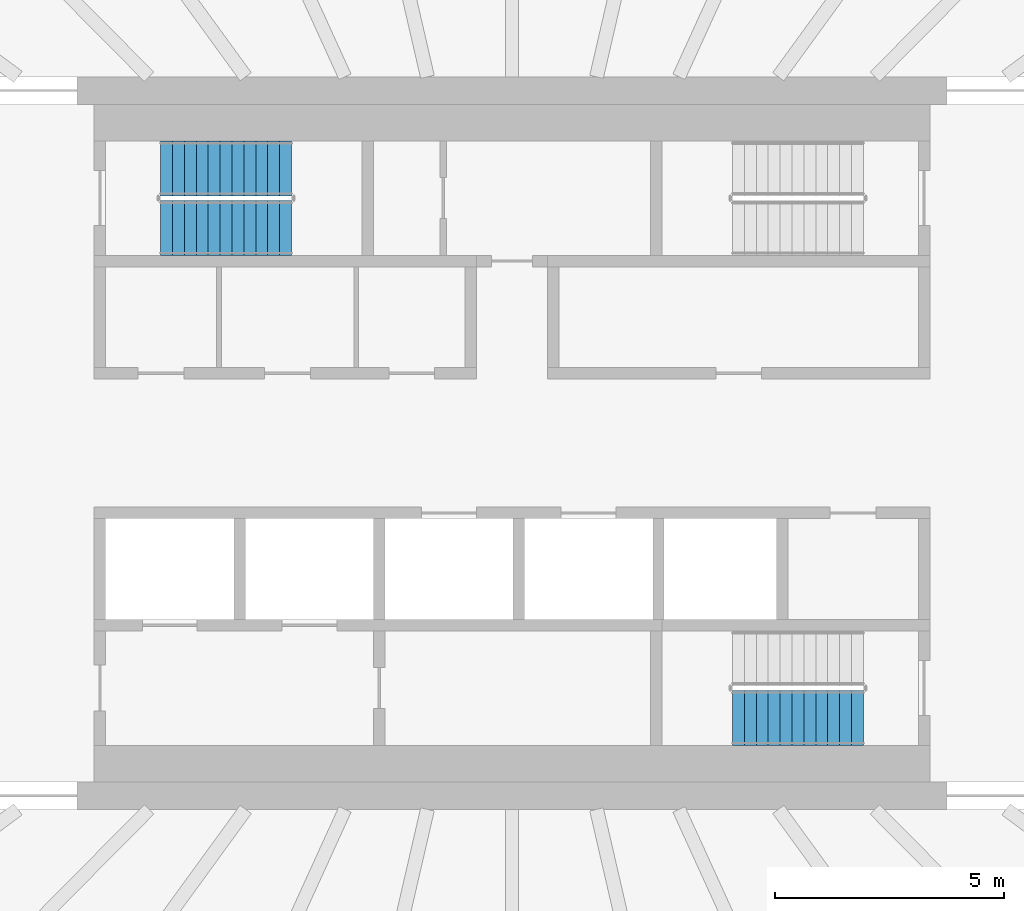
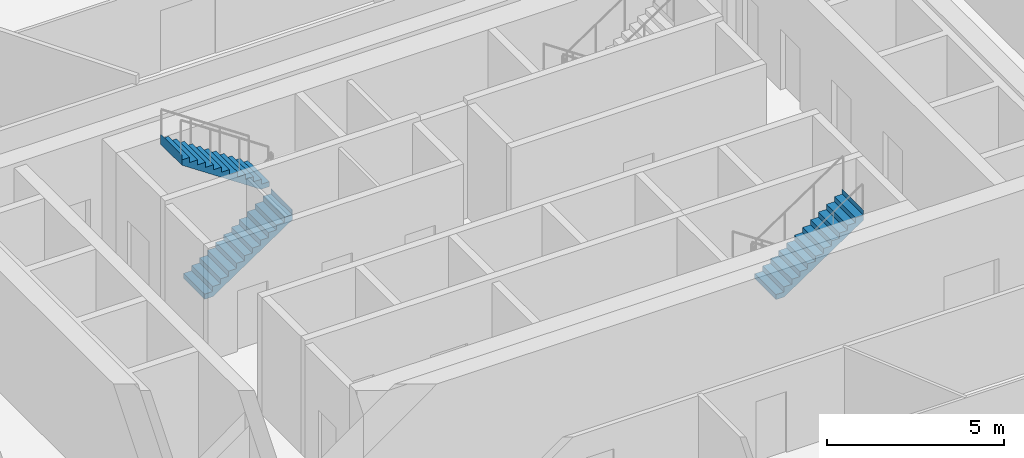
# One storey, part 18 of 25: 3 stair flights, 2 elements without a shape of their own.
"""IFC4 building model written with IfcOpenShell, lengths in metres."""

from ifc_helpers import new_model, si_unit, direction, frame, origin, place, context, subcontext, project, spatial, triangles, material, type_object, element, aggregate, save


model = new_model("IFC4")

# Units and contexts
model_context = context("Model", 3, precision=1e-05, world=origin(), true_north=direction((0.0, 1.0)))
body_context = subcontext(model_context, "Body", "Model", "MODEL_VIEW")
ifc_project = project(units=[si_unit("LENGTHUNIT", "METRE"), si_unit("AREAUNIT", "SQUARE_METRE"), si_unit("VOLUMEUNIT", "CUBIC_METRE"), si_unit("PLANEANGLEUNIT", "RADIAN"), si_unit("MASSUNIT", "GRAM", prefix="KILO")], contexts=[model_context])

# Site, building, storey
site_placement = place(None, origin())
site = spatial("IfcSite", under=ifc_project, at=site_placement, CompositionType="ELEMENT")
building_placement = place(site_placement, origin())
building = spatial("IfcBuilding", under=site, at=building_placement, Name="Sahrelin Media Tower", CompositionType="ELEMENT")
storey_placement = place(building_placement, frame((0.0, 0.0, 135.60009765625)))
storey = spatial("IfcBuildingStorey", under=building, at=storey_placement, Name="L27", CompositionType="ELEMENT", Elevation=135.60009765625)

# Stair, stair flights
ifc_material = material(Name="Concrete C40/50", Category="concrete")
stair_type = type_object("IfcStairType", Name="Exit stair 1200", PredefinedType="HALF_TURN_STAIR", material=ifc_material)
placement = place(storey_placement, origin())
stair_1 = element("IfcStair", 1, at=placement, inside=storey, type_object=stair_type, Name="L27 Exit stair ST1", PredefinedType="HALF_TURN_STAIR")
stair_flight_type = type_object("IfcStairFlightType", Name="Stair flight 1200", PredefinedType="STRAIGHT", material=ifc_material)
stair_flight_1_placement = place(storey_placement, frame((-7.675048828125, 4.699951171875, 0.0), z_axis=(0.0, 0.0, 1.0), x_axis=(1.0, 0.0, 0.0)))
stair_flight_1 = element("IfcStairFlight", 2, at=stair_flight_1_placement, type_object=stair_flight_type, Name="ST1 flight 1", NumberOfRisers=12, NumberOfTreads=11, PredefinedType="STRAIGHT", RiserHeight=0.175, TreadLength=0.26, context=body_context, shape_type="Tessellation", body=[
    triangles([(0.2685546875, 0.60009765625, 0.0), (0.2685546875, 0.300048828125, 0.0), (0.2685546875, 0.0, 0.0), (0.2685546875, -0.300048828125, 0.0), (0.2685546875, -0.60009765625, 0.0), (2.860107421875, 0.60009765625, 1.744384765625), (2.860107421875, 0.300048828125, 1.744384765625), (2.860107421875, 0.0, 1.744384765625), (2.860107421875, -0.300048828125, 1.744384765625), (2.860107421875, -0.60009765625, 1.744384765625), (2.860107421875, 0.60009765625, 2.10009765625), (2.860107421875, 0.300048828125, 2.10009765625), (2.860107421875, 0.0, 2.10009765625), (2.860107421875, -0.300048828125, 2.10009765625), (2.860107421875, -0.60009765625, 2.10009765625), (2.85791015625, 0.60009765625, 2.10009765625), (2.85791015625, 0.300048828125, 2.10009765625), (2.85791015625, 0.0, 2.10009765625), (2.85791015625, -0.300048828125, 2.10009765625), (2.85791015625, -0.60009765625, 2.10009765625), (2.85791015625, 0.60009765625, 1.925048828125), (2.85791015625, 0.300048828125, 1.925048828125), (2.85791015625, 0.0, 1.925048828125), (2.85791015625, -0.300048828125, 1.925048828125), (2.85791015625, -0.60009765625, 1.925048828125), (2.60009765625, 0.60009765625, 1.925048828125), (2.60009765625, 0.300048828125, 1.925048828125), (2.60009765625, 0.0, 1.925048828125), (2.60009765625, -0.300048828125, 1.925048828125), (2.60009765625, -0.60009765625, 1.925048828125), (2.60009765625, 0.60009765625, 1.75), (2.60009765625, 0.300048828125, 1.75), (2.60009765625, 0.0, 1.75), (2.60009765625, -0.300048828125, 1.75), (2.60009765625, -0.60009765625, 1.75), (2.340087890625, 0.60009765625, 1.75), (2.340087890625, 0.300048828125, 1.75), (2.340087890625, 0.0, 1.75), (2.340087890625, -0.300048828125, 1.75), (2.340087890625, -0.60009765625, 1.75), (2.340087890625, 0.60009765625, 1.574951171875), (2.340087890625, 0.300048828125, 1.574951171875), (2.340087890625, 0.0, 1.574951171875), (2.340087890625, -0.300048828125, 1.574951171875), (2.340087890625, -0.60009765625, 1.574951171875), (2.080078125, 0.60009765625, 1.574951171875), (2.080078125, 0.300048828125, 1.574951171875), (2.080078125, 0.0, 1.574951171875), (2.080078125, -0.300048828125, 1.574951171875), (2.080078125, -0.60009765625, 1.574951171875), (2.080078125, 0.60009765625, 1.39990234375), (2.080078125, 0.300048828125, 1.39990234375), (2.080078125, 0.0, 1.39990234375), (2.080078125, -0.300048828125, 1.39990234375), (2.080078125, -0.60009765625, 1.39990234375), (1.820068359375, 0.60009765625, 1.39990234375), (1.820068359375, 0.300048828125, 1.39990234375), (1.820068359375, 0.0, 1.39990234375), (1.820068359375, -0.300048828125, 1.39990234375), (1.820068359375, -0.60009765625, 1.39990234375), (1.820068359375, 0.60009765625, 1.22509765625), (1.820068359375, 0.300048828125, 1.22509765625), (1.820068359375, 0.0, 1.22509765625), (1.820068359375, -0.300048828125, 1.22509765625), (1.820068359375, -0.60009765625, 1.22509765625), (1.56005859375, 0.60009765625, 1.22509765625), (1.56005859375, 0.300048828125, 1.22509765625), (1.56005859375, 0.0, 1.22509765625), (1.56005859375, -0.300048828125, 1.22509765625), (1.56005859375, -0.60009765625, 1.22509765625), (1.56005859375, 0.60009765625, 1.050048828125), (1.56005859375, 0.300048828125, 1.050048828125), (1.56005859375, 0.0, 1.050048828125), (1.56005859375, -0.300048828125, 1.050048828125), (1.56005859375, -0.60009765625, 1.050048828125), (1.300048828125, 0.60009765625, 1.050048828125), (1.300048828125, 0.300048828125, 1.050048828125), (1.300048828125, 0.0, 1.050048828125), (1.300048828125, -0.300048828125, 1.050048828125), (1.300048828125, -0.60009765625, 1.050048828125), (1.300048828125, 0.60009765625, 0.875), (1.300048828125, 0.300048828125, 0.875), (1.300048828125, 0.0, 0.875), (1.300048828125, -0.300048828125, 0.875), (1.300048828125, -0.60009765625, 0.875), (1.0400390625, 0.60009765625, 0.875), (1.0400390625, 0.300048828125, 0.875), (1.0400390625, 0.0, 0.875), (1.0400390625, -0.300048828125, 0.875), (1.0400390625, -0.60009765625, 0.875), (1.0400390625, 0.60009765625, 0.699951171875), (1.0400390625, 0.300048828125, 0.699951171875), (1.0400390625, 0.0, 0.699951171875), (1.0400390625, -0.300048828125, 0.699951171875), (1.0400390625, -0.60009765625, 0.699951171875), (0.780029296875, 0.60009765625, 0.699951171875), (0.780029296875, 0.300048828125, 0.699951171875), (0.780029296875, 0.0, 0.699951171875), (0.780029296875, -0.300048828125, 0.699951171875), (0.780029296875, -0.60009765625, 0.699951171875), (0.780029296875, 0.60009765625, 0.52490234375), (0.780029296875, 0.300048828125, 0.52490234375), (0.780029296875, 0.0, 0.52490234375), (0.780029296875, -0.300048828125, 0.52490234375), (0.780029296875, -0.60009765625, 0.52490234375), (0.52001953125, 0.60009765625, 0.52490234375), (0.52001953125, 0.300048828125, 0.52490234375), (0.52001953125, 0.0, 0.52490234375), (0.52001953125, -0.300048828125, 0.52490234375), (0.52001953125, -0.60009765625, 0.52490234375), (0.52001953125, 0.60009765625, 0.35009765625), (0.52001953125, 0.300048828125, 0.35009765625), (0.52001953125, 0.0, 0.35009765625), (0.52001953125, -0.300048828125, 0.35009765625), (0.52001953125, -0.60009765625, 0.35009765625), (0.260009765625, 0.60009765625, 0.35009765625), (0.260009765625, 0.300048828125, 0.35009765625), (0.260009765625, 0.0, 0.35009765625), (0.260009765625, -0.300048828125, 0.35009765625), (0.260009765625, -0.60009765625, 0.35009765625), (0.260009765625, 0.60009765625, 0.175048828125), (0.260009765625, 0.300048828125, 0.175048828125), (0.260009765625, 0.0, 0.175048828125), (0.260009765625, -0.300048828125, 0.175048828125), (0.260009765625, -0.60009765625, 0.175048828125), (0.0, 0.60009765625, 0.175048828125), (0.0, 0.300048828125, 0.175048828125), (0.0, 0.0, 0.175048828125), (0.0, -0.300048828125, 0.175048828125), (0.0, -0.60009765625, 0.175048828125), (0.0, 0.60009765625, 0.0), (0.0, 0.300048828125, 0.0), (0.0, 0.0, 0.0), (0.0, -0.300048828125, 0.0), (0.0, -0.60009765625, 0.0)], [[1, 6, 7], [1, 7, 2], [2, 7, 8], [2, 8, 3], [3, 8, 9], [3, 9, 4], [4, 9, 10], [4, 10, 5], [6, 11, 12], [6, 12, 7], [7, 12, 13], [7, 13, 8], [8, 13, 14], [8, 14, 9], [9, 14, 15], [9, 15, 10], [11, 16, 17], [11, 17, 12], [12, 17, 18], [12, 18, 13], [13, 18, 19], [13, 19, 14], [14, 19, 20], [14, 20, 15], [16, 21, 22], [16, 22, 17], [17, 22, 23], [17, 23, 18], [18, 23, 24], [18, 24, 19], [19, 24, 25], [19, 25, 20], [21, 26, 27], [21, 27, 22], [22, 27, 28], [22, 28, 23], [23, 28, 29], [23, 29, 24], [24, 29, 30], [24, 30, 25], [26, 31, 32], [26, 32, 27], [27, 32, 33], [27, 33, 28], [28, 33, 34], [28, 34, 29], [29, 34, 35], [29, 35, 30], [31, 36, 37], [31, 37, 32], [32, 37, 38], [32, 38, 33], [33, 38, 39], [33, 39, 34], [34, 39, 40], [34, 40, 35], [36, 41, 42], [36, 42, 37], [37, 42, 43], [37, 43, 38], [38, 43, 44], [38, 44, 39], [39, 44, 45], [39, 45, 40], [41, 46, 47], [41, 47, 42], [42, 47, 48], [42, 48, 43], [43, 48, 49], [43, 49, 44], [44, 49, 50], [44, 50, 45], [46, 51, 52], [46, 52, 47], [47, 52, 53], [47, 53, 48], [48, 53, 54], [48, 54, 49], [49, 54, 55], [49, 55, 50], [51, 56, 57], [51, 57, 52], [52, 57, 58], [52, 58, 53], [53, 58, 59], [53, 59, 54], [54, 59, 60], [54, 60, 55], [56, 61, 62], [56, 62, 57], [57, 62, 63], [57, 63, 58], [58, 63, 64], [58, 64, 59], [59, 64, 65], [59, 65, 60], [61, 66, 67], [61, 67, 62], [62, 67, 68], [62, 68, 63], [63, 68, 69], [63, 69, 64], [64, 69, 70], [64, 70, 65], [66, 71, 72], [66, 72, 67], [67, 72, 73], [67, 73, 68], [68, 73, 74], [68, 74, 69], [69, 74, 75], [69, 75, 70], [71, 76, 77], [71, 77, 72], [72, 77, 78], [72, 78, 73], [73, 78, 79], [73, 79, 74], [74, 79, 80], [74, 80, 75], [76, 81, 82], [76, 82, 77], [77, 82, 83], [77, 83, 78], [78, 83, 84], [78, 84, 79], [79, 84, 85], [79, 85, 80], [81, 86, 87], [81, 87, 82], [82, 87, 88], [82, 88, 83], [83, 88, 89], [83, 89, 84], [84, 89, 90], [84, 90, 85], [86, 91, 92], [86, 92, 87], [87, 92, 93], [87, 93, 88], [88, 93, 94], [88, 94, 89], [89, 94, 95], [89, 95, 90], [91, 96, 97], [91, 97, 92], [92, 97, 98], [92, 98, 93], [93, 98, 99], [93, 99, 94], [94, 99, 100], [94, 100, 95], [96, 101, 102], [96, 102, 97], [97, 102, 103], [97, 103, 98], [98, 103, 104], [98, 104, 99], [99, 104, 105], [99, 105, 100], [101, 106, 107], [101, 107, 102], [102, 107, 108], [102, 108, 103], [103, 108, 109], [103, 109, 104], [104, 109, 110], [104, 110, 105], [106, 111, 112], [106, 112, 107], [107, 112, 113], [107, 113, 108], [108, 113, 114], [108, 114, 109], [109, 114, 115], [109, 115, 110], [111, 116, 117], [111, 117, 112], [112, 117, 118], [112, 118, 113], [113, 118, 119], [113, 119, 114], [114, 119, 120], [114, 120, 115], [116, 121, 122], [116, 122, 117], [117, 122, 123], [117, 123, 118], [118, 123, 124], [118, 124, 119], [119, 124, 125], [119, 125, 120], [121, 126, 127], [121, 127, 122], [122, 127, 128], [122, 128, 123], [123, 128, 129], [123, 129, 124], [124, 129, 130], [124, 130, 125], [126, 131, 132], [126, 132, 127], [127, 132, 133], [127, 133, 128], [128, 133, 134], [128, 134, 129], [129, 134, 135], [129, 135, 130], [131, 1, 2], [131, 2, 132], [132, 2, 3], [132, 3, 133], [133, 3, 4], [133, 4, 134], [134, 4, 5], [134, 5, 135], [125, 130, 135], [121, 131, 126], [125, 115, 120], [121, 116, 111], [115, 105, 110], [111, 106, 101], [105, 95, 100], [101, 96, 91], [95, 85, 90], [91, 86, 81], [85, 75, 80], [81, 76, 71], [75, 65, 70], [71, 66, 61], [65, 55, 60], [61, 56, 51], [55, 45, 50], [51, 46, 41], [45, 35, 40], [41, 36, 31], [35, 25, 30], [31, 26, 21], [25, 15, 20], [21, 16, 11], [135, 5, 125], [131, 121, 1], [95, 105, 5], [91, 1, 101], [5, 10, 75], [1, 71, 6], [10, 35, 45], [6, 41, 31], [25, 10, 15], [21, 11, 6], [115, 125, 5], [111, 1, 121], [75, 85, 5], [71, 1, 81], [35, 10, 25], [31, 21, 6], [105, 115, 5], [101, 1, 111], [45, 55, 10], [41, 6, 51], [85, 95, 5], [81, 1, 91], [65, 10, 55], [61, 51, 6], [10, 65, 75], [6, 71, 61]], closed=True),
])
stair_flight_2_placement = place(storey_placement, frame((-4.81494140625, 6.0, 2.099853515625), z_axis=(0.0, 0.0, 1.0), x_axis=(-1.0, 0.0, 0.0)))
stair_flight_2 = element("IfcStairFlight", 3, at=stair_flight_2_placement, type_object=stair_flight_type, Name="ST1 flight 2", NumberOfRisers=12, NumberOfTreads=11, PredefinedType="STRAIGHT", RiserHeight=0.175, TreadLength=0.26, context=body_context, shape_type="Tessellation", body=[
    triangles([(0.2685546875, 0.60009765625, 0.0), (0.2685546875, 0.300048828125, 0.0), (0.2685546875, 0.0, 0.0), (0.2685546875, -0.300048828125, 0.0), (0.2685546875, -0.60009765625, 0.0), (2.860107421875, 0.60009765625, 1.744384765625), (2.860107421875, 0.300048828125, 1.744384765625), (2.860107421875, 0.0, 1.744384765625), (2.860107421875, -0.300048828125, 1.744384765625), (2.860107421875, -0.60009765625, 1.744384765625), (2.860107421875, 0.60009765625, 2.10009765625), (2.860107421875, 0.300048828125, 2.10009765625), (2.860107421875, 0.0, 2.10009765625), (2.860107421875, -0.300048828125, 2.10009765625), (2.860107421875, -0.60009765625, 2.10009765625), (2.85791015625, 0.60009765625, 2.10009765625), (2.85791015625, 0.300048828125, 2.10009765625), (2.85791015625, 0.0, 2.10009765625), (2.85791015625, -0.300048828125, 2.10009765625), (2.85791015625, -0.60009765625, 2.10009765625), (2.85791015625, 0.60009765625, 1.925048828125), (2.85791015625, 0.300048828125, 1.925048828125), (2.85791015625, 0.0, 1.925048828125), (2.85791015625, -0.300048828125, 1.925048828125), (2.85791015625, -0.60009765625, 1.925048828125), (2.60009765625, 0.60009765625, 1.925048828125), (2.60009765625, 0.300048828125, 1.925048828125), (2.60009765625, 0.0, 1.925048828125), (2.60009765625, -0.300048828125, 1.925048828125), (2.60009765625, -0.60009765625, 1.925048828125), (2.60009765625, 0.60009765625, 1.75), (2.60009765625, 0.300048828125, 1.75), (2.60009765625, 0.0, 1.75), (2.60009765625, -0.300048828125, 1.75), (2.60009765625, -0.60009765625, 1.75), (2.340087890625, 0.60009765625, 1.75), (2.340087890625, 0.300048828125, 1.75), (2.340087890625, 0.0, 1.75), (2.340087890625, -0.300048828125, 1.75), (2.340087890625, -0.60009765625, 1.75), (2.340087890625, 0.60009765625, 1.574951171875), (2.340087890625, 0.300048828125, 1.574951171875), (2.340087890625, 0.0, 1.574951171875), (2.340087890625, -0.300048828125, 1.574951171875), (2.340087890625, -0.60009765625, 1.574951171875), (2.080078125, 0.60009765625, 1.574951171875), (2.080078125, 0.300048828125, 1.574951171875), (2.080078125, 0.0, 1.574951171875), (2.080078125, -0.300048828125, 1.574951171875), (2.080078125, -0.60009765625, 1.574951171875), (2.080078125, 0.60009765625, 1.39990234375), (2.080078125, 0.300048828125, 1.39990234375), (2.080078125, 0.0, 1.39990234375), (2.080078125, -0.300048828125, 1.39990234375), (2.080078125, -0.60009765625, 1.39990234375), (1.820068359375, 0.60009765625, 1.39990234375), (1.820068359375, 0.300048828125, 1.39990234375), (1.820068359375, 0.0, 1.39990234375), (1.820068359375, -0.300048828125, 1.39990234375), (1.820068359375, -0.60009765625, 1.39990234375), (1.820068359375, 0.60009765625, 1.22509765625), (1.820068359375, 0.300048828125, 1.22509765625), (1.820068359375, 0.0, 1.22509765625), (1.820068359375, -0.300048828125, 1.22509765625), (1.820068359375, -0.60009765625, 1.22509765625), (1.56005859375, 0.60009765625, 1.22509765625), (1.56005859375, 0.300048828125, 1.22509765625), (1.56005859375, 0.0, 1.22509765625), (1.56005859375, -0.300048828125, 1.22509765625), (1.56005859375, -0.60009765625, 1.22509765625), (1.56005859375, 0.60009765625, 1.050048828125), (1.56005859375, 0.300048828125, 1.050048828125), (1.56005859375, 0.0, 1.050048828125), (1.56005859375, -0.300048828125, 1.050048828125), (1.56005859375, -0.60009765625, 1.050048828125), (1.300048828125, 0.60009765625, 1.050048828125), (1.300048828125, 0.300048828125, 1.050048828125), (1.300048828125, 0.0, 1.050048828125), (1.300048828125, -0.300048828125, 1.050048828125), (1.300048828125, -0.60009765625, 1.050048828125), (1.300048828125, 0.60009765625, 0.875), (1.300048828125, 0.300048828125, 0.875), (1.300048828125, 0.0, 0.875), (1.300048828125, -0.300048828125, 0.875), (1.300048828125, -0.60009765625, 0.875), (1.0400390625, 0.60009765625, 0.875), (1.0400390625, 0.300048828125, 0.875), (1.0400390625, 0.0, 0.875), (1.0400390625, -0.300048828125, 0.875), (1.0400390625, -0.60009765625, 0.875), (1.0400390625, 0.60009765625, 0.699951171875), (1.0400390625, 0.300048828125, 0.699951171875), (1.0400390625, 0.0, 0.699951171875), (1.0400390625, -0.300048828125, 0.699951171875), (1.0400390625, -0.60009765625, 0.699951171875), (0.780029296875, 0.60009765625, 0.699951171875), (0.780029296875, 0.300048828125, 0.699951171875), (0.780029296875, 0.0, 0.699951171875), (0.780029296875, -0.300048828125, 0.699951171875), (0.780029296875, -0.60009765625, 0.699951171875), (0.780029296875, 0.60009765625, 0.52490234375), (0.780029296875, 0.300048828125, 0.52490234375), (0.780029296875, 0.0, 0.52490234375), (0.780029296875, -0.300048828125, 0.52490234375), (0.780029296875, -0.60009765625, 0.52490234375), (0.52001953125, 0.60009765625, 0.52490234375), (0.52001953125, 0.300048828125, 0.52490234375), (0.52001953125, 0.0, 0.52490234375), (0.52001953125, -0.300048828125, 0.52490234375), (0.52001953125, -0.60009765625, 0.52490234375), (0.52001953125, 0.60009765625, 0.35009765625), (0.52001953125, 0.300048828125, 0.35009765625), (0.52001953125, 0.0, 0.35009765625), (0.52001953125, -0.300048828125, 0.35009765625), (0.52001953125, -0.60009765625, 0.35009765625), (0.260009765625, 0.60009765625, 0.35009765625), (0.260009765625, 0.300048828125, 0.35009765625), (0.260009765625, 0.0, 0.35009765625), (0.260009765625, -0.300048828125, 0.35009765625), (0.260009765625, -0.60009765625, 0.35009765625), (0.260009765625, 0.60009765625, 0.175048828125), (0.260009765625, 0.300048828125, 0.175048828125), (0.260009765625, 0.0, 0.175048828125), (0.260009765625, -0.300048828125, 0.175048828125), (0.260009765625, -0.60009765625, 0.175048828125), (0.0, 0.60009765625, 0.175048828125), (0.0, 0.300048828125, 0.175048828125), (0.0, 0.0, 0.175048828125), (0.0, -0.300048828125, 0.175048828125), (0.0, -0.60009765625, 0.175048828125), (0.0, 0.60009765625, 0.0), (0.0, 0.300048828125, 0.0), (0.0, 0.0, 0.0), (0.0, -0.300048828125, 0.0), (0.0, -0.60009765625, 0.0)], [[1, 6, 7], [1, 7, 2], [2, 7, 8], [2, 8, 3], [3, 8, 9], [3, 9, 4], [4, 9, 10], [4, 10, 5], [6, 11, 12], [6, 12, 7], [7, 12, 13], [7, 13, 8], [8, 13, 14], [8, 14, 9], [9, 14, 15], [9, 15, 10], [11, 16, 17], [11, 17, 12], [12, 17, 18], [12, 18, 13], [13, 18, 19], [13, 19, 14], [14, 19, 20], [14, 20, 15], [16, 21, 22], [16, 22, 17], [17, 22, 23], [17, 23, 18], [18, 23, 24], [18, 24, 19], [19, 24, 25], [19, 25, 20], [21, 26, 27], [21, 27, 22], [22, 27, 28], [22, 28, 23], [23, 28, 29], [23, 29, 24], [24, 29, 30], [24, 30, 25], [26, 31, 32], [26, 32, 27], [27, 32, 33], [27, 33, 28], [28, 33, 34], [28, 34, 29], [29, 34, 35], [29, 35, 30], [31, 36, 37], [31, 37, 32], [32, 37, 38], [32, 38, 33], [33, 38, 39], [33, 39, 34], [34, 39, 40], [34, 40, 35], [36, 41, 42], [36, 42, 37], [37, 42, 43], [37, 43, 38], [38, 43, 44], [38, 44, 39], [39, 44, 45], [39, 45, 40], [41, 46, 47], [41, 47, 42], [42, 47, 48], [42, 48, 43], [43, 48, 49], [43, 49, 44], [44, 49, 50], [44, 50, 45], [46, 51, 52], [46, 52, 47], [47, 52, 53], [47, 53, 48], [48, 53, 54], [48, 54, 49], [49, 54, 55], [49, 55, 50], [51, 56, 57], [51, 57, 52], [52, 57, 58], [52, 58, 53], [53, 58, 59], [53, 59, 54], [54, 59, 60], [54, 60, 55], [56, 61, 62], [56, 62, 57], [57, 62, 63], [57, 63, 58], [58, 63, 64], [58, 64, 59], [59, 64, 65], [59, 65, 60], [61, 66, 67], [61, 67, 62], [62, 67, 68], [62, 68, 63], [63, 68, 69], [63, 69, 64], [64, 69, 70], [64, 70, 65], [66, 71, 72], [66, 72, 67], [67, 72, 73], [67, 73, 68], [68, 73, 74], [68, 74, 69], [69, 74, 75], [69, 75, 70], [71, 76, 77], [71, 77, 72], [72, 77, 78], [72, 78, 73], [73, 78, 79], [73, 79, 74], [74, 79, 80], [74, 80, 75], [76, 81, 82], [76, 82, 77], [77, 82, 83], [77, 83, 78], [78, 83, 84], [78, 84, 79], [79, 84, 85], [79, 85, 80], [81, 86, 87], [81, 87, 82], [82, 87, 88], [82, 88, 83], [83, 88, 89], [83, 89, 84], [84, 89, 90], [84, 90, 85], [86, 91, 92], [86, 92, 87], [87, 92, 93], [87, 93, 88], [88, 93, 94], [88, 94, 89], [89, 94, 95], [89, 95, 90], [91, 96, 97], [91, 97, 92], [92, 97, 98], [92, 98, 93], [93, 98, 99], [93, 99, 94], [94, 99, 100], [94, 100, 95], [96, 101, 102], [96, 102, 97], [97, 102, 103], [97, 103, 98], [98, 103, 104], [98, 104, 99], [99, 104, 105], [99, 105, 100], [101, 106, 107], [101, 107, 102], [102, 107, 108], [102, 108, 103], [103, 108, 109], [103, 109, 104], [104, 109, 110], [104, 110, 105], [106, 111, 112], [106, 112, 107], [107, 112, 113], [107, 113, 108], [108, 113, 114], [108, 114, 109], [109, 114, 115], [109, 115, 110], [111, 116, 117], [111, 117, 112], [112, 117, 118], [112, 118, 113], [113, 118, 119], [113, 119, 114], [114, 119, 120], [114, 120, 115], [116, 121, 122], [116, 122, 117], [117, 122, 123], [117, 123, 118], [118, 123, 124], [118, 124, 119], [119, 124, 125], [119, 125, 120], [121, 126, 127], [121, 127, 122], [122, 127, 128], [122, 128, 123], [123, 128, 129], [123, 129, 124], [124, 129, 130], [124, 130, 125], [126, 131, 132], [126, 132, 127], [127, 132, 133], [127, 133, 128], [128, 133, 134], [128, 134, 129], [129, 134, 135], [129, 135, 130], [131, 1, 2], [131, 2, 132], [132, 2, 3], [132, 3, 133], [133, 3, 4], [133, 4, 134], [134, 4, 5], [134, 5, 135], [125, 130, 135], [121, 131, 126], [125, 115, 120], [121, 116, 111], [115, 105, 110], [111, 106, 101], [105, 95, 100], [101, 96, 91], [95, 85, 90], [91, 86, 81], [85, 75, 80], [81, 76, 71], [75, 65, 70], [71, 66, 61], [65, 55, 60], [61, 56, 51], [55, 45, 50], [51, 46, 41], [45, 35, 40], [41, 36, 31], [35, 25, 30], [31, 26, 21], [25, 15, 20], [21, 16, 11], [135, 5, 125], [131, 121, 1], [95, 105, 5], [91, 1, 101], [5, 10, 75], [1, 71, 6], [10, 35, 45], [6, 41, 31], [25, 10, 15], [21, 11, 6], [115, 125, 5], [111, 1, 121], [75, 85, 5], [71, 1, 81], [35, 10, 25], [31, 21, 6], [105, 115, 5], [101, 1, 111], [45, 55, 10], [41, 6, 51], [85, 95, 5], [81, 1, 91], [65, 10, 55], [61, 51, 6], [10, 65, 75], [6, 71, 61]], closed=True),
])
aggregate(stair_1, [stair_flight_1, stair_flight_2])

# Stair, stair flight
stair_2 = element("IfcStair", 4, at=placement, inside=storey, type_object=stair_type, Name="L27 Exit stair ST2", PredefinedType="HALF_TURN_STAIR")
stair_flight_3_placement = place(storey_placement, frame((4.81494140625, -6.0, 2.099853515625), z_axis=(0.0, 0.0, 1.0), x_axis=(1.0, 0.0, 0.0)))
stair_flight_3 = element("IfcStairFlight", 5, at=stair_flight_3_placement, type_object=stair_flight_type, Name="ST2 flight 2", NumberOfRisers=12, NumberOfTreads=11, PredefinedType="STRAIGHT", RiserHeight=0.175, TreadLength=0.26, context=body_context, shape_type="Tessellation", body=[
    triangles([(0.2685546875, 0.60009765625, 0.0), (0.2685546875, 0.300048828125, 0.0), (0.2685546875, 0.0, 0.0), (0.2685546875, -0.300048828125, 0.0), (0.2685546875, -0.60009765625, 0.0), (2.860107421875, 0.60009765625, 1.744384765625), (2.860107421875, 0.300048828125, 1.744384765625), (2.860107421875, 0.0, 1.744384765625), (2.860107421875, -0.300048828125, 1.744384765625), (2.860107421875, -0.60009765625, 1.744384765625), (2.860107421875, 0.60009765625, 2.10009765625), (2.860107421875, 0.300048828125, 2.10009765625), (2.860107421875, 0.0, 2.10009765625), (2.860107421875, -0.300048828125, 2.10009765625), (2.860107421875, -0.60009765625, 2.10009765625), (2.85791015625, 0.60009765625, 2.10009765625), (2.85791015625, 0.300048828125, 2.10009765625), (2.85791015625, 0.0, 2.10009765625), (2.85791015625, -0.300048828125, 2.10009765625), (2.85791015625, -0.60009765625, 2.10009765625), (2.85791015625, 0.60009765625, 1.925048828125), (2.85791015625, 0.300048828125, 1.925048828125), (2.85791015625, 0.0, 1.925048828125), (2.85791015625, -0.300048828125, 1.925048828125), (2.85791015625, -0.60009765625, 1.925048828125), (2.60009765625, 0.60009765625, 1.925048828125), (2.60009765625, 0.300048828125, 1.925048828125), (2.60009765625, 0.0, 1.925048828125), (2.60009765625, -0.300048828125, 1.925048828125), (2.60009765625, -0.60009765625, 1.925048828125), (2.60009765625, 0.60009765625, 1.75), (2.60009765625, 0.300048828125, 1.75), (2.60009765625, 0.0, 1.75), (2.60009765625, -0.300048828125, 1.75), (2.60009765625, -0.60009765625, 1.75), (2.340087890625, 0.60009765625, 1.75), (2.340087890625, 0.300048828125, 1.75), (2.340087890625, 0.0, 1.75), (2.340087890625, -0.300048828125, 1.75), (2.340087890625, -0.60009765625, 1.75), (2.340087890625, 0.60009765625, 1.574951171875), (2.340087890625, 0.300048828125, 1.574951171875), (2.340087890625, 0.0, 1.574951171875), (2.340087890625, -0.300048828125, 1.574951171875), (2.340087890625, -0.60009765625, 1.574951171875), (2.080078125, 0.60009765625, 1.574951171875), (2.080078125, 0.300048828125, 1.574951171875), (2.080078125, 0.0, 1.574951171875), (2.080078125, -0.300048828125, 1.574951171875), (2.080078125, -0.60009765625, 1.574951171875), (2.080078125, 0.60009765625, 1.39990234375), (2.080078125, 0.300048828125, 1.39990234375), (2.080078125, 0.0, 1.39990234375), (2.080078125, -0.300048828125, 1.39990234375), (2.080078125, -0.60009765625, 1.39990234375), (1.820068359375, 0.60009765625, 1.39990234375), (1.820068359375, 0.300048828125, 1.39990234375), (1.820068359375, 0.0, 1.39990234375), (1.820068359375, -0.300048828125, 1.39990234375), (1.820068359375, -0.60009765625, 1.39990234375), (1.820068359375, 0.60009765625, 1.22509765625), (1.820068359375, 0.300048828125, 1.22509765625), (1.820068359375, 0.0, 1.22509765625), (1.820068359375, -0.300048828125, 1.22509765625), (1.820068359375, -0.60009765625, 1.22509765625), (1.56005859375, 0.60009765625, 1.22509765625), (1.56005859375, 0.300048828125, 1.22509765625), (1.56005859375, 0.0, 1.22509765625), (1.56005859375, -0.300048828125, 1.22509765625), (1.56005859375, -0.60009765625, 1.22509765625), (1.56005859375, 0.60009765625, 1.050048828125), (1.56005859375, 0.300048828125, 1.050048828125), (1.56005859375, 0.0, 1.050048828125), (1.56005859375, -0.300048828125, 1.050048828125), (1.56005859375, -0.60009765625, 1.050048828125), (1.300048828125, 0.60009765625, 1.050048828125), (1.300048828125, 0.300048828125, 1.050048828125), (1.300048828125, 0.0, 1.050048828125), (1.300048828125, -0.300048828125, 1.050048828125), (1.300048828125, -0.60009765625, 1.050048828125), (1.300048828125, 0.60009765625, 0.875), (1.300048828125, 0.300048828125, 0.875), (1.300048828125, 0.0, 0.875), (1.300048828125, -0.300048828125, 0.875), (1.300048828125, -0.60009765625, 0.875), (1.0400390625, 0.60009765625, 0.875), (1.0400390625, 0.300048828125, 0.875), (1.0400390625, 0.0, 0.875), (1.0400390625, -0.300048828125, 0.875), (1.0400390625, -0.60009765625, 0.875), (1.0400390625, 0.60009765625, 0.699951171875), (1.0400390625, 0.300048828125, 0.699951171875), (1.0400390625, 0.0, 0.699951171875), (1.0400390625, -0.300048828125, 0.699951171875), (1.0400390625, -0.60009765625, 0.699951171875), (0.780029296875, 0.60009765625, 0.699951171875), (0.780029296875, 0.300048828125, 0.699951171875), (0.780029296875, 0.0, 0.699951171875), (0.780029296875, -0.300048828125, 0.699951171875), (0.780029296875, -0.60009765625, 0.699951171875), (0.780029296875, 0.60009765625, 0.52490234375), (0.780029296875, 0.300048828125, 0.52490234375), (0.780029296875, 0.0, 0.52490234375), (0.780029296875, -0.300048828125, 0.52490234375), (0.780029296875, -0.60009765625, 0.52490234375), (0.52001953125, 0.60009765625, 0.52490234375), (0.52001953125, 0.300048828125, 0.52490234375), (0.52001953125, 0.0, 0.52490234375), (0.52001953125, -0.300048828125, 0.52490234375), (0.52001953125, -0.60009765625, 0.52490234375), (0.52001953125, 0.60009765625, 0.35009765625), (0.52001953125, 0.300048828125, 0.35009765625), (0.52001953125, 0.0, 0.35009765625), (0.52001953125, -0.300048828125, 0.35009765625), (0.52001953125, -0.60009765625, 0.35009765625), (0.260009765625, 0.60009765625, 0.35009765625), (0.260009765625, 0.300048828125, 0.35009765625), (0.260009765625, 0.0, 0.35009765625), (0.260009765625, -0.300048828125, 0.35009765625), (0.260009765625, -0.60009765625, 0.35009765625), (0.260009765625, 0.60009765625, 0.175048828125), (0.260009765625, 0.300048828125, 0.175048828125), (0.260009765625, 0.0, 0.175048828125), (0.260009765625, -0.300048828125, 0.175048828125), (0.260009765625, -0.60009765625, 0.175048828125), (0.0, 0.60009765625, 0.175048828125), (0.0, 0.300048828125, 0.175048828125), (0.0, 0.0, 0.175048828125), (0.0, -0.300048828125, 0.175048828125), (0.0, -0.60009765625, 0.175048828125), (0.0, 0.60009765625, 0.0), (0.0, 0.300048828125, 0.0), (0.0, 0.0, 0.0), (0.0, -0.300048828125, 0.0), (0.0, -0.60009765625, 0.0)], [[1, 6, 7], [1, 7, 2], [2, 7, 8], [2, 8, 3], [3, 8, 9], [3, 9, 4], [4, 9, 10], [4, 10, 5], [6, 11, 12], [6, 12, 7], [7, 12, 13], [7, 13, 8], [8, 13, 14], [8, 14, 9], [9, 14, 15], [9, 15, 10], [11, 16, 17], [11, 17, 12], [12, 17, 18], [12, 18, 13], [13, 18, 19], [13, 19, 14], [14, 19, 20], [14, 20, 15], [16, 21, 22], [16, 22, 17], [17, 22, 23], [17, 23, 18], [18, 23, 24], [18, 24, 19], [19, 24, 25], [19, 25, 20], [21, 26, 27], [21, 27, 22], [22, 27, 28], [22, 28, 23], [23, 28, 29], [23, 29, 24], [24, 29, 30], [24, 30, 25], [26, 31, 32], [26, 32, 27], [27, 32, 33], [27, 33, 28], [28, 33, 34], [28, 34, 29], [29, 34, 35], [29, 35, 30], [31, 36, 37], [31, 37, 32], [32, 37, 38], [32, 38, 33], [33, 38, 39], [33, 39, 34], [34, 39, 40], [34, 40, 35], [36, 41, 42], [36, 42, 37], [37, 42, 43], [37, 43, 38], [38, 43, 44], [38, 44, 39], [39, 44, 45], [39, 45, 40], [41, 46, 47], [41, 47, 42], [42, 47, 48], [42, 48, 43], [43, 48, 49], [43, 49, 44], [44, 49, 50], [44, 50, 45], [46, 51, 52], [46, 52, 47], [47, 52, 53], [47, 53, 48], [48, 53, 54], [48, 54, 49], [49, 54, 55], [49, 55, 50], [51, 56, 57], [51, 57, 52], [52, 57, 58], [52, 58, 53], [53, 58, 59], [53, 59, 54], [54, 59, 60], [54, 60, 55], [56, 61, 62], [56, 62, 57], [57, 62, 63], [57, 63, 58], [58, 63, 64], [58, 64, 59], [59, 64, 65], [59, 65, 60], [61, 66, 67], [61, 67, 62], [62, 67, 68], [62, 68, 63], [63, 68, 69], [63, 69, 64], [64, 69, 70], [64, 70, 65], [66, 71, 72], [66, 72, 67], [67, 72, 73], [67, 73, 68], [68, 73, 74], [68, 74, 69], [69, 74, 75], [69, 75, 70], [71, 76, 77], [71, 77, 72], [72, 77, 78], [72, 78, 73], [73, 78, 79], [73, 79, 74], [74, 79, 80], [74, 80, 75], [76, 81, 82], [76, 82, 77], [77, 82, 83], [77, 83, 78], [78, 83, 84], [78, 84, 79], [79, 84, 85], [79, 85, 80], [81, 86, 87], [81, 87, 82], [82, 87, 88], [82, 88, 83], [83, 88, 89], [83, 89, 84], [84, 89, 90], [84, 90, 85], [86, 91, 92], [86, 92, 87], [87, 92, 93], [87, 93, 88], [88, 93, 94], [88, 94, 89], [89, 94, 95], [89, 95, 90], [91, 96, 97], [91, 97, 92], [92, 97, 98], [92, 98, 93], [93, 98, 99], [93, 99, 94], [94, 99, 100], [94, 100, 95], [96, 101, 102], [96, 102, 97], [97, 102, 103], [97, 103, 98], [98, 103, 104], [98, 104, 99], [99, 104, 105], [99, 105, 100], [101, 106, 107], [101, 107, 102], [102, 107, 108], [102, 108, 103], [103, 108, 109], [103, 109, 104], [104, 109, 110], [104, 110, 105], [106, 111, 112], [106, 112, 107], [107, 112, 113], [107, 113, 108], [108, 113, 114], [108, 114, 109], [109, 114, 115], [109, 115, 110], [111, 116, 117], [111, 117, 112], [112, 117, 118], [112, 118, 113], [113, 118, 119], [113, 119, 114], [114, 119, 120], [114, 120, 115], [116, 121, 122], [116, 122, 117], [117, 122, 123], [117, 123, 118], [118, 123, 124], [118, 124, 119], [119, 124, 125], [119, 125, 120], [121, 126, 127], [121, 127, 122], [122, 127, 128], [122, 128, 123], [123, 128, 129], [123, 129, 124], [124, 129, 130], [124, 130, 125], [126, 131, 132], [126, 132, 127], [127, 132, 133], [127, 133, 128], [128, 133, 134], [128, 134, 129], [129, 134, 135], [129, 135, 130], [131, 1, 2], [131, 2, 132], [132, 2, 3], [132, 3, 133], [133, 3, 4], [133, 4, 134], [134, 4, 5], [134, 5, 135], [125, 130, 135], [121, 131, 126], [125, 115, 120], [121, 116, 111], [115, 105, 110], [111, 106, 101], [105, 95, 100], [101, 96, 91], [95, 85, 90], [91, 86, 81], [85, 75, 80], [81, 76, 71], [75, 65, 70], [71, 66, 61], [65, 55, 60], [61, 56, 51], [55, 45, 50], [51, 46, 41], [45, 35, 40], [41, 36, 31], [35, 25, 30], [31, 26, 21], [25, 15, 20], [21, 16, 11], [135, 5, 125], [131, 121, 1], [95, 105, 5], [91, 1, 101], [5, 10, 75], [1, 71, 6], [10, 35, 45], [6, 41, 31], [25, 10, 15], [21, 11, 6], [115, 125, 5], [111, 1, 121], [75, 85, 5], [71, 1, 81], [35, 10, 25], [31, 21, 6], [105, 115, 5], [101, 1, 111], [45, 55, 10], [41, 6, 51], [85, 95, 5], [81, 1, 91], [65, 10, 55], [61, 51, 6], [10, 65, 75], [6, 71, 61]], closed=True),
])
aggregate(stair_2, [stair_flight_3])

save(model, "model.ifc")
